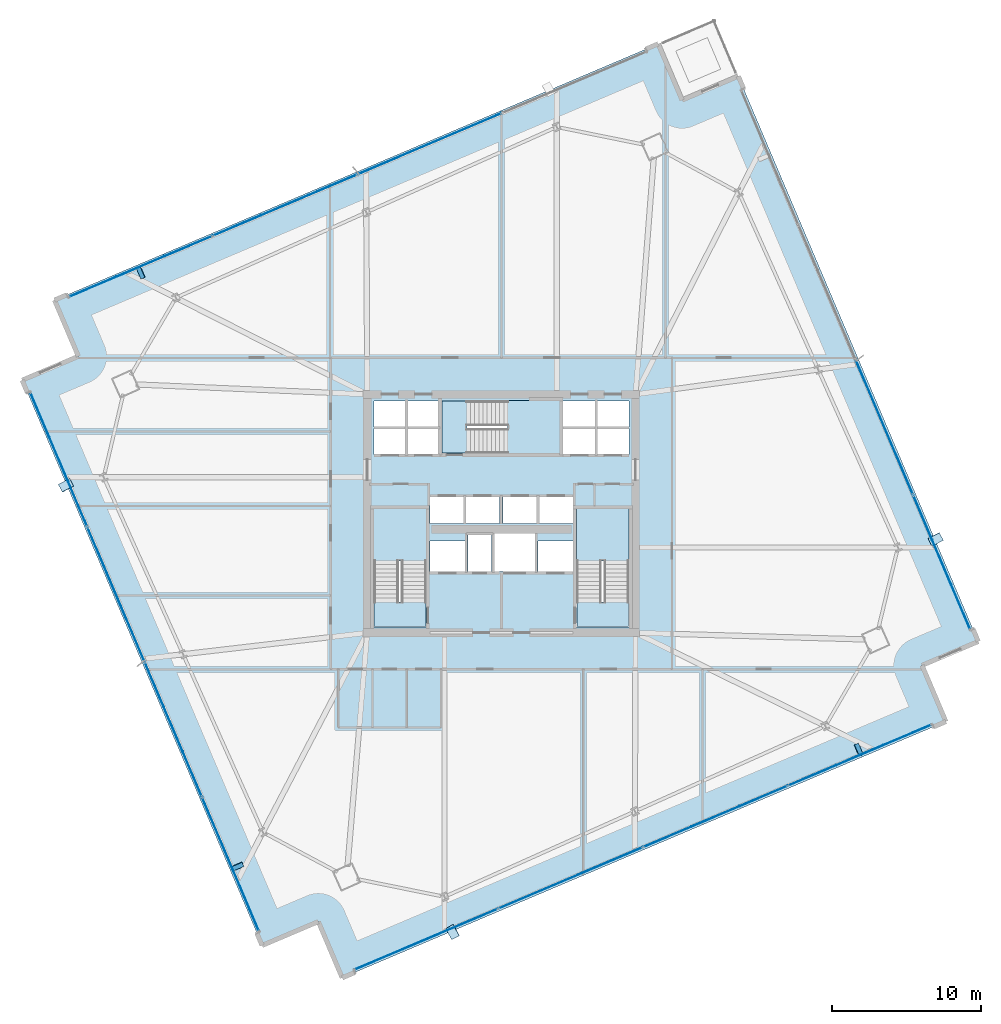
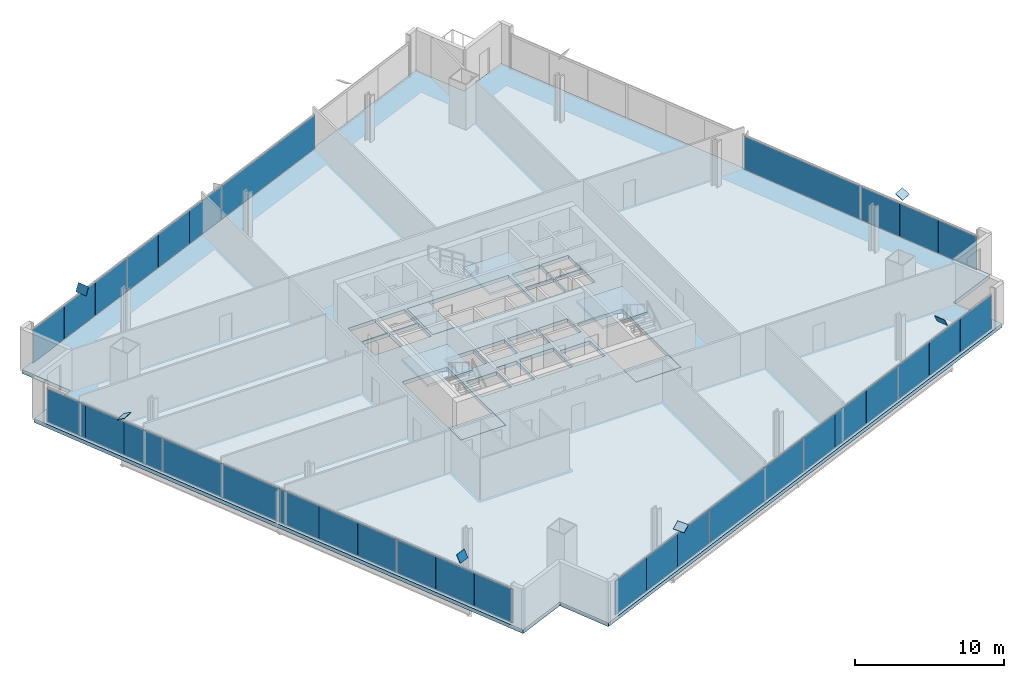
# One storey, part 25 of 34: 37 plates, 7 slabs, 7 elements without a shape of their own.
"""IFC4 building model written with IfcOpenShell, lengths in metres."""

from ifc_helpers import new_model, si_unit, direction, frame, origin, origin_2d, place, context, subcontext, project, spatial, polyline, rectangle, outline, extrude, source, transform, mapped, material, layer, layer_set, type_object, element, aggregate, save


model = new_model("IFC4")

# Units and contexts
model_context = context("Model", 3, precision=1e-05, world=origin(), true_north=direction((0.0, 1.0)))
body_context = subcontext(model_context, "Body", "Model", "MODEL_VIEW")
ifc_project = project(units=[si_unit("LENGTHUNIT", "METRE"), si_unit("AREAUNIT", "SQUARE_METRE"), si_unit("VOLUMEUNIT", "CUBIC_METRE"), si_unit("PLANEANGLEUNIT", "RADIAN"), si_unit("MASSUNIT", "GRAM", prefix="KILO")], contexts=[model_context])

# Site, building, storey
site_placement = place(None, origin())
site = spatial("IfcSite", under=ifc_project, at=site_placement, CompositionType="ELEMENT")
building_placement = place(site_placement, origin())
building = spatial("IfcBuilding", under=site, at=building_placement, Name="Haldenkirk Collegiate Tower", CompositionType="ELEMENT")
storey_placement = place(building_placement, frame((0.0, 0.0, 105.449951171875)))
storey = spatial("IfcBuildingStorey", under=building, at=storey_placement, Name="L25", CompositionType="ELEMENT", Elevation=105.449951171875)

# Slab
ifc_material_1 = material(Name="Concrete f'c 40 MPa", Category="concrete")
ifc_layer_1 = layer(ifc_material_1, 0.300048828125)
ifc_layer_set_1 = layer_set([ifc_layer_1], Name="Concrete f'c 40 MPa")
slab_type_1 = type_object("IfcSlabType", Name="SLB-FLR-300", PredefinedType="FLOOR", material=ifc_layer_set_1)
slab_1_placement = place(storey_placement, frame((0.0, 0.0, -0.300048828125)))
element("IfcSlab", 1, at=slab_1_placement, inside=storey, type_object=slab_type_1, Name="L25 composite structural floor slab", PredefinedType="FLOOR", context=body_context, shape_type="SweptSolid", body=[
    extrude(outline(polyline([(25.32177734375, -5.1484375), (65.823974609375, 12.043701171875), (64.221923828125, 15.81787109375), (67.99609375, 17.419921875), (51.89794921875, 55.344482421875), (48.123779296875, 53.74267578125), (46.52197265625, 57.5166015625), (6.019775390625, 40.324462890625), (7.62158203125, 36.55029296875), (3.84765625, 34.948486328125), (19.94580078125, -2.976318359375), (23.7197265625, -1.37451171875), (25.32177734375, -5.1484375)]), holes=[polyline([(27.449951171875, 18.39990234375), (30.949951171875, 18.39990234375), (30.949951171875, 26.300048828125), (27.449951171875, 26.300048828125), (27.449951171875, 18.39990234375)]), polyline([(41.050048828125, 18.39990234375), (44.550048828125, 18.39990234375), (44.550048828125, 26.300048828125), (41.050048828125, 26.300048828125), (41.050048828125, 18.39990234375)]), polyline([(32.0, 30.050048828125), (39.89990234375, 30.050048828125), (39.89990234375, 33.550048828125), (32.0, 33.550048828125), (32.0, 30.050048828125)]), polyline([(33.75, 22.10009765625), (35.35009765625, 22.10009765625), (35.35009765625, 24.550048828125), (33.75, 24.550048828125), (33.75, 22.10009765625)]), polyline([(27.449951171875, 29.949951171875), (29.580078125, 29.949951171875), (29.580078125, 31.699951171875), (27.449951171875, 31.699951171875), (27.449951171875, 29.949951171875)]), polyline([(29.679931640625, 29.949951171875), (31.85009765625, 29.949951171875), (31.85009765625, 31.699951171875), (29.679931640625, 31.699951171875), (29.679931640625, 29.949951171875)]), polyline([(27.449951171875, 31.800048828125), (29.580078125, 31.800048828125), (29.580078125, 33.550048828125), (27.449951171875, 33.550048828125), (27.449951171875, 31.800048828125)]), polyline([(29.679931640625, 31.800048828125), (31.85009765625, 31.800048828125), (31.85009765625, 33.550048828125), (29.679931640625, 33.550048828125), (29.679931640625, 31.800048828125)]), polyline([(40.14990234375, 29.949951171875), (42.320068359375, 29.949951171875), (42.320068359375, 31.699951171875), (40.14990234375, 31.699951171875), (40.14990234375, 29.949951171875)]), polyline([(42.419921875, 29.949951171875), (44.550048828125, 29.949951171875), (44.550048828125, 31.699951171875), (42.419921875, 31.699951171875), (42.419921875, 29.949951171875)]), polyline([(40.14990234375, 31.800048828125), (42.320068359375, 31.800048828125), (42.320068359375, 33.550048828125), (40.14990234375, 33.550048828125), (40.14990234375, 31.800048828125)]), polyline([(42.419921875, 31.800048828125), (44.550048828125, 31.800048828125), (44.550048828125, 33.550048828125), (42.419921875, 33.550048828125), (42.419921875, 31.800048828125)]), polyline([(31.199951171875, 25.35009765625), (33.47998046875, 25.35009765625), (33.47998046875, 27.14990234375), (31.199951171875, 27.14990234375), (31.199951171875, 25.35009765625)]), polyline([(33.60009765625, 25.35009765625), (35.8798828125, 25.35009765625), (35.8798828125, 27.14990234375), (33.60009765625, 27.14990234375), (33.60009765625, 25.35009765625)]), polyline([(36.1201171875, 25.35009765625), (38.39990234375, 25.35009765625), (38.39990234375, 27.14990234375), (36.1201171875, 27.14990234375), (36.1201171875, 25.35009765625)]), polyline([(38.52001953125, 25.35009765625), (40.800048828125, 25.35009765625), (40.800048828125, 27.14990234375), (38.52001953125, 27.14990234375), (38.52001953125, 25.35009765625)]), polyline([(31.199951171875, 22.10009765625), (33.550048828125, 22.10009765625), (33.550048828125, 24.14990234375), (31.199951171875, 24.14990234375), (31.199951171875, 22.10009765625)]), polyline([(38.449951171875, 22.10009765625), (40.800048828125, 22.10009765625), (40.800048828125, 24.14990234375), (38.449951171875, 24.14990234375), (38.449951171875, 22.10009765625)]), polyline([(35.550048828125, 22.10009765625), (38.25, 22.10009765625), (38.25, 24.64990234375), (35.550048828125, 24.64990234375), (35.550048828125, 22.10009765625)])]), origin(), (0.0, 0.0, 1.0), 0.300048828125),
])

# Stair, slab
stair_type = type_object("IfcStairType", Name="STR-DOGLEG-1650", PredefinedType="HALF_TURN_STAIR", material=ifc_material_1)
stair_1_placement = place(storey_placement, origin())
stair_1 = element("IfcStair", 2, at=stair_1_placement, inside=storey, type_object=stair_type, Name="L25 Core Exit Stair ST-1", PredefinedType="HALF_TURN_STAIR")
ifc_layer_2 = layer(ifc_material_1, 0.199951171875)
ifc_layer_set_2 = layer_set([ifc_layer_2], Name="Concrete f'c 40 MPa")
slab_type_2 = type_object("IfcSlabType", Name="SLB-LANDING-200", PredefinedType="LANDING", material=ifc_layer_set_2)
slab_2_placement = place(storey_placement, frame((0.0, 0.0, 1.675048828125)))
slab_2 = element("IfcSlab", 3, at=slab_2_placement, type_object=slab_type_2, Name="ST-1 landing 1", PredefinedType="LANDING", context=body_context, shape_type="SweptSolid", body=[
    extrude(outline(polyline([(30.97509765625, 22.824951171875), (27.425048828125, 22.824951171875), (27.425048828125, 26.324951171875), (30.97509765625, 26.324951171875), (30.97509765625, 22.824951171875)])), origin(), (0.0, 0.0, 1.0), 0.199951171875),
])
aggregate(stair_1, [slab_2])

stair_2_placement = place(storey_placement, origin())
stair_2 = element("IfcStair", 4, at=stair_2_placement, inside=storey, type_object=stair_type, Name="L25 Core Exit Stair ST-2", PredefinedType="HALF_TURN_STAIR")
slab_3_placement = place(storey_placement, frame((0.0, 0.0, 1.675048828125)))
slab_3 = element("IfcSlab", 5, at=slab_3_placement, type_object=slab_type_2, Name="ST-2 landing 1", PredefinedType="LANDING", context=body_context, shape_type="SweptSolid", body=[
    extrude(outline(polyline([(44.574951171875, 22.824951171875), (41.02490234375, 22.824951171875), (41.02490234375, 26.324951171875), (44.574951171875, 26.324951171875), (44.574951171875, 22.824951171875)])), origin(), (0.0, 0.0, 1.0), 0.199951171875),
])
aggregate(stair_2, [slab_3])

stair_3_placement = place(storey_placement, origin())
stair_3 = element("IfcStair", 6, at=stair_3_placement, inside=storey, type_object=stair_type, Name="L25 Core Exit Stair ST-3", PredefinedType="HALF_TURN_STAIR")
slab_4_placement = place(storey_placement, frame((0.0, 0.0, 1.675048828125)))
slab_4 = element("IfcSlab", 7, at=slab_4_placement, type_object=slab_type_2, Name="ST-3 landing 1", PredefinedType="LANDING", context=body_context, shape_type="SweptSolid", body=[
    extrude(outline(polyline([(36.425048828125, 30.02490234375), (36.425048828125, 33.574951171875), (39.925048828125, 33.574951171875), (39.925048828125, 30.02490234375), (36.425048828125, 30.02490234375)])), origin(), (0.0, 0.0, 1.0), 0.199951171875),
])
aggregate(stair_3, [slab_4])

# Slabs
ifc_layer_3 = layer(ifc_material_1, 0.25)
ifc_layer_set_3 = layer_set([ifc_layer_3], Name="Concrete f'c 40 MPa")
slab_type_3 = type_object("IfcSlabType", Name="SLB-STAIRLAND-250", PredefinedType="LANDING", material=ifc_layer_set_3)
slab_5_placement = place(storey_placement, frame((0.0, 0.0, -0.25)))
element("IfcSlab", 8, at=slab_5_placement, inside=storey, type_object=slab_type_3, Name="L25 stair ST1 structural floor landing slab", PredefinedType="LANDING", context=body_context, shape_type="SweptSolid", body=[
    extrude(outline(polyline([(27.4599609375, 18.409912109375), (30.93994140625, 18.409912109375), (30.93994140625, 20.080078125), (27.4599609375, 20.080078125), (27.4599609375, 18.409912109375)])), origin(), (0.0, 0.0, 1.0), 0.25),
])
slab_6_placement = place(storey_placement, frame((0.0, 0.0, -0.25)))
element("IfcSlab", 9, at=slab_6_placement, inside=storey, type_object=slab_type_3, Name="L25 stair ST2 structural floor landing slab", PredefinedType="LANDING", context=body_context, shape_type="SweptSolid", body=[
    extrude(outline(polyline([(41.06005859375, 18.409912109375), (44.5400390625, 18.409912109375), (44.5400390625, 20.080078125), (41.06005859375, 20.080078125), (41.06005859375, 18.409912109375)])), origin(), (0.0, 0.0, 1.0), 0.25),
])
slab_7_placement = place(storey_placement, frame((0.0, 0.0, -0.25)))
element("IfcSlab", 10, at=slab_7_placement, inside=storey, type_object=slab_type_3, Name="L25 stair ST3 structural floor landing slab", PredefinedType="LANDING", context=body_context, shape_type="SweptSolid", body=[
    extrude(outline(polyline([(32.010009765625, 30.06005859375), (33.679931640625, 30.06005859375), (33.679931640625, 33.5400390625), (32.010009765625, 33.5400390625), (32.010009765625, 30.06005859375)])), origin(), (0.0, 0.0, 1.0), 0.25),
])

# Plates
ifc_material_2 = material(Name="Steel ASTM A572 Grade 50", Category="steel")
ifc_layer_4 = layer(ifc_material_2, 0.034912109375)
ifc_layer_set_4 = layer_set([ifc_layer_4], Name="Steel ASTM A572 Grade 50")
plate_type_1 = type_object("IfcPlateType", Name="PLT-CAP-EXT-760X600", PredefinedType="USERDEFINED", material=ifc_layer_set_4)
shared_shape_1 = source(origin(), body_context, "Body", "SweptSolid", [
    extrude(rectangle(XDim=0.860107421875, YDim=0.659912109375, at=origin_2d()), origin(), (0.0, 0.0, 1.0), 0.034912109375),
])
for number, where, z_axis, x_axis, name in (
    (11, (32.730224609375, -2.07470703125, 3.4375), (-0.447460758456, -0.236834872154, 0.862373534481), (0.467800980933, -0.883833831802, -1.05321e-07), "Perimeter Mega Brace Z2 L23-L25 SL end cap plate 2"),
    (12, (59.965087890625, 10.136474609375, 3.438720703125), (0.828155922011, 0.353041966753, 0.435337959003), (-0.392152408477, 0.919900260097, -1.32381e-07), "Perimeter Mega Brace Z2 L23-L25 SR end cap plate 2"),
    (13, (65.13525390625, 24.276123046875, 3.4375), (0.227382985822, -0.43399797294, 0.871746945646), (0.885789368321, 0.464087486331, -4.62341e-07), "Perimeter Mega Brace Z2 L23-L25 EL end cap plate 2"),
    (14, (11.800537109375, 42.197021484375, 3.438720703125), (-0.829037011715, -0.353411004994, 0.433357006124), (0.392146401204, -0.919902820967, 2.31112e-07), "Perimeter Mega Brace Z2 L23-L25 NR end cap plate 2"),
    (15, (6.791259765625, 27.887939453125, 3.4375), (-0.227062908924, 0.430449827344, 0.873587649598), (-0.884485511189, -0.466567659077, 1.31896e-07), "Perimeter Mega Brace Z2 L23-L25 WL end cap plate 2"),
    (16, (18.255859375, 2.318115234375, 3.438720703125), (0.348519083296, -0.817225195316, 0.4589961097), (0.919844648318, 0.392282835415, 6.94e-09), "Perimeter Mega Brace Z2 L23-L25 WR end cap plate 2"),
):
    element("IfcPlate", number, at=place(storey_placement, frame(where, z_axis=z_axis, x_axis=x_axis)), inside=storey, type_object=plate_type_1, Name=name, ObjectType="END CAP PLATE", PredefinedType="USERDEFINED", context=body_context, shape_type="MappedRepresentation", body=[
        mapped(shared_shape_1, transform((0.0, 0.0, 0.0), x_axis=(1.0, 0.0, 0.0), y_axis=(0.0, 1.0, 0.0), z_axis=(0.0, 0.0, 1.0), scale=1.0)),
    ])

# Curtain wall, plates
ifc_material_3 = material(Name="Anodised architectural bronze aluminium", Category="aluminium")
curtain_wall_type_1 = type_object("IfcCurtainWallType", Name="CW-SYS2-CONCAVE", PredefinedType="USERDEFINED", material=ifc_material_3)
curtain_wall_1_placement = place(storey_placement, origin())
curtain_wall_1 = element("IfcCurtainWall", 17, at=curtain_wall_1_placement, inside=storey, type_object=curtain_wall_type_1, Name="L25 South concave recessed bronze-anodised curtain wall", ObjectType="UNITISED CURTAIN WALL", PredefinedType="USERDEFINED")
ifc_material_4 = material(Name="Bronze-anodised insulated aluminium spandrel panel", Category="aluminium")
ifc_layer_5 = layer(ifc_material_4, 0.0419921875)
ifc_layer_set_5 = layer_set([ifc_layer_5], Name="Bronze-anodised insulated aluminium spandrel panel")
plate_type_2 = type_object("IfcPlateType", Name="CW-SPD-02", PredefinedType="CURTAIN_PANEL", material=ifc_layer_set_5)
shared_shape_2 = source(origin(), body_context, "Body", "SweptSolid", [
    extrude(rectangle(XDim=3.479248046875, YDim=0.0419921875, at=origin_2d()), origin(), (0.0, 0.0, 1.0), 2.7509765625),
])
plate_1_placement = place(storey_placement, frame((53.578125, 7.041015625, 0.074951171875), z_axis=(0.0, 0.0, 1.0), x_axis=(-0.92050493127, -0.390730945162, 0.0)))
plate_1 = element("IfcPlate", 18, at=plate_1_placement, type_object=plate_type_2, Name="CW-02 spandrel panel 2.1a", PredefinedType="CURTAIN_PANEL", context=body_context, shape_type="MappedRepresentation", body=[
    mapped(shared_shape_2, transform((0.0, 0.0, 0.0), x_axis=(1.0, 0.0, 0.0), y_axis=(0.0, 1.0, 0.0), z_axis=(0.0, 0.0, 1.0), scale=1.0)),
])
ifc_material_5 = material(Name="Low-E argon triple insulating glass", Category="glass")
ifc_layer_6 = layer(ifc_material_5, 0.0419921875)
ifc_layer_set_6 = layer_set([ifc_layer_6], Name="Low-E argon triple insulating glass")
plate_type_3 = type_object("IfcPlateType", Name="CW-PNL-02", PredefinedType="CURTAIN_PANEL", material=ifc_layer_set_6)
plate_2_placement = place(storey_placement, frame((47.138427734375, 4.3076171875, 0.074951171875), z_axis=(0.0, 0.0, 1.0), x_axis=(-0.92050493127, -0.390730945162, 0.0)))
plate_2 = element("IfcPlate", 19, at=plate_2_placement, type_object=plate_type_3, Name="CW-02 panel 2.1c", PredefinedType="CURTAIN_PANEL", context=body_context, shape_type="MappedRepresentation", body=[
    mapped(shared_shape_2, transform((0.0, 0.0, 0.0), x_axis=(1.0, 0.0, 0.0), y_axis=(0.0, 1.0, 0.0), z_axis=(0.0, 0.0, 1.0), scale=1.0)),
])
shared_shape_3 = source(origin(), body_context, "Body", "SweptSolid", [
    extrude(rectangle(XDim=3.466796875, YDim=0.0419921875, at=origin_2d()), origin(), (0.0, 0.0, 1.0), 2.7509765625),
])
plate_3_placement = place(storey_placement, frame((63.260498046875, 11.151123046875, 0.074951171875), z_axis=(0.0, 0.0, 1.0), x_axis=(-0.92050493127, -0.390730945162, 0.0)))
plate_3 = element("IfcPlate", 20, at=plate_3_placement, type_object=plate_type_3, Name="CW-02 panel 1.1a", PredefinedType="CURTAIN_PANEL", context=body_context, shape_type="MappedRepresentation", body=[
    mapped(shared_shape_3, transform((0.0, 0.0, 0.0), x_axis=(1.0, 0.0, 0.0), y_axis=(0.0, 1.0, 0.0), z_axis=(0.0, 0.0, 1.0), scale=1.0)),
])
plate_4_placement = place(storey_placement, frame((56.843994140625, 8.427490234375, 0.074951171875), z_axis=(0.0, 0.0, 1.0), x_axis=(-0.92050493127, -0.390730945162, 0.0)))
plate_4 = element("IfcPlate", 21, at=plate_4_placement, type_object=plate_type_2, Name="CW-02 spandrel panel 1.1c", PredefinedType="CURTAIN_PANEL", context=body_context, shape_type="MappedRepresentation", body=[
    mapped(shared_shape_3, transform((0.0, 0.0, 0.0), x_axis=(1.0, 0.0, 0.0), y_axis=(0.0, 1.0, 0.0), z_axis=(0.0, 0.0, 1.0), scale=1.0)),
])
plate_5_placement = place(storey_placement, frame((50.358154296875, 5.67431640625, 0.074951171875), z_axis=(0.0, 0.0, 1.0), x_axis=(-0.92050493127, -0.390730945162, 0.0)))
plate_5 = element("IfcPlate", 22, at=plate_5_placement, type_object=plate_type_3, Name="CW-02 panel 2.1b", PredefinedType="CURTAIN_PANEL", context=body_context, shape_type="MappedRepresentation", body=[
    mapped(shared_shape_3, transform((0.0, 0.0, 0.0), x_axis=(1.0, 0.0, 0.0), y_axis=(0.0, 1.0, 0.0), z_axis=(0.0, 0.0, 1.0), scale=1.0)),
])
plate_6_placement = place(storey_placement, frame((34.1611328125, -1.20068359375, 0.074951171875), z_axis=(0.0, 0.0, 1.0), x_axis=(-0.92050493127, -0.390730945162, 0.0)))
plate_6 = element("IfcPlate", 23, at=plate_6_placement, type_object=plate_type_2, Name="CW-02 spandrel panel 4.1a", PredefinedType="CURTAIN_PANEL", context=body_context, shape_type="MappedRepresentation", body=[
    mapped(shared_shape_3, transform((0.0, 0.0, 0.0), x_axis=(1.0, 0.0, 0.0), y_axis=(0.0, 1.0, 0.0), z_axis=(0.0, 0.0, 1.0), scale=1.0)),
])
plate_7_placement = place(storey_placement, frame((27.74462890625, -3.924560546875, 0.074951171875), z_axis=(0.0, 0.0, 1.0), x_axis=(-0.92050493127, -0.390730945162, 0.0)))
plate_7 = element("IfcPlate", 24, at=plate_7_placement, type_object=plate_type_3, Name="CW-02 panel 4.1c", PredefinedType="CURTAIN_PANEL", context=body_context, shape_type="MappedRepresentation", body=[
    mapped(shared_shape_3, transform((0.0, 0.0, 0.0), x_axis=(1.0, 0.0, 0.0), y_axis=(0.0, 1.0, 0.0), z_axis=(0.0, 0.0, 1.0), scale=1.0)),
])

# Curtain wall, plate
curtain_wall_type_2 = type_object("IfcCurtainWallType", Name="CW-SYS1-CONVEX-LOW", PredefinedType="USERDEFINED", material=ifc_material_3)
curtain_wall_2_placement = place(storey_placement, origin())
curtain_wall_2 = element("IfcCurtainWall", 25, at=curtain_wall_2_placement, inside=storey, type_object=curtain_wall_type_2, Name="L25 Lower tower convex bronze-framed unitised curtain wall", ObjectType="UNITISED CURTAIN WALL", PredefinedType="USERDEFINED")
ifc_layer_7 = layer(ifc_material_5, 0.0439453125)
ifc_layer_set_7 = layer_set([ifc_layer_7], Name="Low-E argon triple insulating glass")
plate_type_4 = type_object("IfcPlateType", Name="CW-PNL-1A", PredefinedType="CURTAIN_PANEL", material=ifc_layer_set_7)
shared_shape_4 = source(origin(), body_context, "Body", "SweptSolid", [
    extrude(rectangle(XDim=9.77001953125, YDim=0.0439453125, at=origin_2d()), origin(), (0.0, 0.0, 1.0), 2.740966796875),
])
plate_8_placement = place(storey_placement, frame((61.70556640625, 31.7783203125, 0.080078125), z_axis=(0.0, 0.0, 1.0), x_axis=(0.390729671687, -0.920505471827, 0.0)))
plate_8 = element("IfcPlate", 26, at=plate_8_placement, type_object=plate_type_4, Name="CW-1A panel 3.1", PredefinedType="CURTAIN_PANEL", context=body_context, shape_type="MappedRepresentation", body=[
    mapped(shared_shape_4, transform((0.0, 0.0, 0.0), x_axis=(1.0, 0.0, 0.0), y_axis=(0.0, 1.0, 0.0), z_axis=(0.0, 0.0, 1.0), scale=1.0)),
])

# Curtain wall, plates
curtain_wall_3_placement = place(storey_placement, origin())
curtain_wall_3 = element("IfcCurtainWall", 27, at=curtain_wall_3_placement, inside=storey, type_object=curtain_wall_type_2, Name="L25 Lower tower convex bronze-framed unitised curtain wall", ObjectType="UNITISED CURTAIN WALL", PredefinedType="USERDEFINED")
plate_9_placement = place(storey_placement, frame((10.137939453125, 20.58984375, 0.080078125), z_axis=(0.0, 0.0, 1.0), x_axis=(-0.390729671687, 0.920505471827, 0.0)))
plate_9 = element("IfcPlate", 28, at=plate_9_placement, type_object=plate_type_4, Name="CW-1A panel 3.1", PredefinedType="CURTAIN_PANEL", context=body_context, shape_type="MappedRepresentation", body=[
    mapped(shared_shape_4, transform((0.0, 0.0, 0.0), x_axis=(1.0, 0.0, 0.0), y_axis=(0.0, 1.0, 0.0), z_axis=(0.0, 0.0, 1.0), scale=1.0)),
])
ifc_layer_8 = layer(ifc_material_4, 0.0439453125)
ifc_layer_set_8 = layer_set([ifc_layer_8], Name="Bronze-anodised insulated aluminium spandrel panel")
plate_type_5 = type_object("IfcPlateType", Name="CW-SPD-1A", PredefinedType="CURTAIN_PANEL", material=ifc_layer_set_8)
shared_shape_5 = source(origin(), body_context, "Body", "SweptSolid", [
    extrude(rectangle(XDim=3.244140625, YDim=0.0439453125, at=origin_2d()), origin(), (0.0, 0.0, 1.0), 2.740966796875),
])
plate_10_placement = place(storey_placement, frame((15.26171875, 8.519287109375, 0.080078125), z_axis=(0.0, 0.0, 1.0), x_axis=(-0.390729671687, 0.920505471827, 0.0)))
plate_10 = element("IfcPlate", 29, at=plate_10_placement, type_object=plate_type_5, Name="CW-1A spandrel panel 2.1a", PredefinedType="CURTAIN_PANEL", context=body_context, shape_type="MappedRepresentation", body=[
    mapped(shared_shape_5, transform((0.0, 0.0, 0.0), x_axis=(1.0, 0.0, 0.0), y_axis=(0.0, 1.0, 0.0), z_axis=(0.0, 0.0, 1.0), scale=1.0)),
])
plate_11_placement = place(storey_placement, frame((12.7119140625, 14.5263671875, 0.080078125), z_axis=(0.0, 0.0, 1.0), x_axis=(-0.390729671687, 0.920505471827, 0.0)))
plate_11 = element("IfcPlate", 30, at=plate_11_placement, type_object=plate_type_4, Name="CW-1A panel 2.1c", PredefinedType="CURTAIN_PANEL", context=body_context, shape_type="MappedRepresentation", body=[
    mapped(shared_shape_5, transform((0.0, 0.0, 0.0), x_axis=(1.0, 0.0, 0.0), y_axis=(0.0, 1.0, 0.0), z_axis=(0.0, 0.0, 1.0), scale=1.0)),
])
shared_shape_6 = source(origin(), body_context, "Body", "SweptSolid", [
    extrude(rectangle(XDim=3.231689453125, YDim=0.0439453125, at=origin_2d()), origin(), (0.0, 0.0, 1.0), 2.740966796875),
])
plate_12_placement = place(storey_placement, frame((13.98681640625, 11.522705078125, 0.080078125), z_axis=(0.0, 0.0, 1.0), x_axis=(-0.390729671687, 0.920505471827, 0.0)))
plate_12 = element("IfcPlate", 31, at=plate_12_placement, type_object=plate_type_4, Name="CW-1A panel 2.1b", PredefinedType="CURTAIN_PANEL", context=body_context, shape_type="MappedRepresentation", body=[
    mapped(shared_shape_6, transform((0.0, 0.0, 0.0), x_axis=(1.0, 0.0, 0.0), y_axis=(0.0, 1.0, 0.0), z_axis=(0.0, 0.0, 1.0), scale=1.0)),
])

curtain_wall_4_placement = place(storey_placement, origin())
curtain_wall_4 = element("IfcCurtainWall", 32, at=curtain_wall_4_placement, inside=storey, type_object=curtain_wall_type_2, Name="L25 Lower tower convex bronze-framed unitised curtain wall", ObjectType="UNITISED CURTAIN WALL", PredefinedType="USERDEFINED")
shared_shape_7 = source(origin(), body_context, "Body", "SweptSolid", [
    extrude(rectangle(XDim=10.469970703125, YDim=0.0439453125, at=origin_2d()), origin(), (0.0, 0.0, 1.0), 2.740966796875),
])
plate_13_placement = place(storey_placement, frame((31.19677734375, 50.81591796875, 0.080078125), z_axis=(0.0, 0.0, 1.0), x_axis=(0.92050493127, 0.390730945162, 0.0)))
plate_13 = element("IfcPlate", 33, at=plate_13_placement, type_object=plate_type_4, Name="CW-1A panel 3.1", PredefinedType="CURTAIN_PANEL", context=body_context, shape_type="MappedRepresentation", body=[
    mapped(shared_shape_7, transform((0.0, 0.0, 0.0), x_axis=(1.0, 0.0, 0.0), y_axis=(0.0, 1.0, 0.0), z_axis=(0.0, 0.0, 1.0), scale=1.0)),
])
shared_shape_8 = source(origin(), body_context, "Body", "SweptSolid", [
    extrude(rectangle(XDim=3.4775390625, YDim=0.0439453125, at=origin_2d()), origin(), (0.0, 0.0, 1.0), 2.740966796875),
])
plate_14_placement = place(storey_placement, frame((18.26708984375, 45.32763671875, 0.080078125), z_axis=(0.0, 0.0, 1.0), x_axis=(0.92050493127, 0.390730945162, 0.0)))
plate_14 = element("IfcPlate", 34, at=plate_14_placement, type_object=plate_type_5, Name="CW-1A spandrel panel 2.1a", PredefinedType="CURTAIN_PANEL", context=body_context, shape_type="MappedRepresentation", body=[
    mapped(shared_shape_8, transform((0.0, 0.0, 0.0), x_axis=(1.0, 0.0, 0.0), y_axis=(0.0, 1.0, 0.0), z_axis=(0.0, 0.0, 1.0), scale=1.0)),
])
plate_15_placement = place(storey_placement, frame((24.703857421875, 48.059814453125, 0.080078125), z_axis=(0.0, 0.0, 1.0), x_axis=(0.92050493127, 0.390730945162, 0.0)))
plate_15 = element("IfcPlate", 35, at=plate_15_placement, type_object=plate_type_4, Name="CW-1A panel 2.1c", PredefinedType="CURTAIN_PANEL", context=body_context, shape_type="MappedRepresentation", body=[
    mapped(shared_shape_8, transform((0.0, 0.0, 0.0), x_axis=(1.0, 0.0, 0.0), y_axis=(0.0, 1.0, 0.0), z_axis=(0.0, 0.0, 1.0), scale=1.0)),
])
shared_shape_9 = source(origin(), body_context, "Body", "SweptSolid", [
    extrude(rectangle(XDim=3.465087890625, YDim=0.0439453125, at=origin_2d()), origin(), (0.0, 0.0, 1.0), 2.740966796875),
])
plate_16_placement = place(storey_placement, frame((21.4853515625, 46.69384765625, 0.080078125), z_axis=(0.0, 0.0, 1.0), x_axis=(0.92050493127, 0.390730945162, 0.0)))
plate_16 = element("IfcPlate", 36, at=plate_16_placement, type_object=plate_type_4, Name="CW-1A panel 2.1b", PredefinedType="CURTAIN_PANEL", context=body_context, shape_type="MappedRepresentation", body=[
    mapped(shared_shape_9, transform((0.0, 0.0, 0.0), x_axis=(1.0, 0.0, 0.0), y_axis=(0.0, 1.0, 0.0), z_axis=(0.0, 0.0, 1.0), scale=1.0)),
])

# Plate
shared_shape_10 = source(origin(), body_context, "Body", "SweptSolid", [
    extrude(rectangle(XDim=3.4541015625, YDim=0.0419921875, at=origin_2d()), origin(), (0.0, 0.0, 1.0), 2.7509765625),
])
plate_17_placement = place(storey_placement, frame((60.05224609375, 9.789306640625, 0.074951171875), z_axis=(0.0, 0.0, 1.0), x_axis=(-0.92050493127, -0.390730945162, 0.0)))
plate_17 = element("IfcPlate", 37, at=plate_17_placement, type_object=plate_type_2, Name="CW-02 spandrel panel 1.1b", PredefinedType="CURTAIN_PANEL", context=body_context, shape_type="MappedRepresentation", body=[
    mapped(shared_shape_10, transform((0.0, 0.0, 0.0), x_axis=(1.0, 0.0, 0.0), y_axis=(0.0, 1.0, 0.0), z_axis=(0.0, 0.0, 1.0), scale=1.0)),
])

plate_18_placement = place(storey_placement, frame((30.952880859375, -2.562744140625, 0.074951171875), z_axis=(0.0, 0.0, 1.0), x_axis=(-0.92050493127, -0.390730945162, 0.0)))
plate_18 = element("IfcPlate", 38, at=plate_18_placement, type_object=plate_type_2, Name="CW-02 spandrel panel 4.1b", PredefinedType="CURTAIN_PANEL", context=body_context, shape_type="MappedRepresentation", body=[
    mapped(shared_shape_10, transform((0.0, 0.0, 0.0), x_axis=(1.0, 0.0, 0.0), y_axis=(0.0, 1.0, 0.0), z_axis=(0.0, 0.0, 1.0), scale=1.0)),
])

shared_shape_11 = source(origin(), body_context, "Body", "SweptSolid", [
    extrude(rectangle(XDim=3.230712890625, YDim=0.0439453125, at=origin_2d()), origin(), (0.0, 0.0, 1.0), 2.740966796875),
])
plate_19_placement = place(storey_placement, frame((64.27685546875, 25.72119140625, 0.080078125), z_axis=(0.0, 0.0, 1.0), x_axis=(0.390729671687, -0.920505471827, 0.0)))
plate_19 = element("IfcPlate", 39, at=plate_19_placement, type_object=plate_type_5, Name="CW-1A spandrel panel 4.1a", PredefinedType="CURTAIN_PANEL", context=body_context, shape_type="MappedRepresentation", body=[
    mapped(shared_shape_11, transform((0.0, 0.0, 0.0), x_axis=(1.0, 0.0, 0.0), y_axis=(0.0, 1.0, 0.0), z_axis=(0.0, 0.0, 1.0), scale=1.0)),
])

plate_20_placement = place(storey_placement, frame((66.81640625, 19.738525390625, 0.080078125), z_axis=(0.0, 0.0, 1.0), x_axis=(0.390729671687, -0.920505471827, 0.0)))
plate_20 = element("IfcPlate", 40, at=plate_20_placement, type_object=plate_type_4, Name="CW-1A panel 4.1c", PredefinedType="CURTAIN_PANEL", context=body_context, shape_type="MappedRepresentation", body=[
    mapped(shared_shape_11, transform((0.0, 0.0, 0.0), x_axis=(1.0, 0.0, 0.0), y_axis=(0.0, 1.0, 0.0), z_axis=(0.0, 0.0, 1.0), scale=1.0)),
])

plate_21_placement = place(storey_placement, frame((19.097412109375, -0.51708984375, 0.080078125), z_axis=(0.0, 0.0, 1.0), x_axis=(-0.390729671687, 0.920505471827, 0.0)))
plate_21 = element("IfcPlate", 41, at=plate_21_placement, type_object=plate_type_4, Name="CW-1A panel 1.1a", PredefinedType="CURTAIN_PANEL", context=body_context, shape_type="MappedRepresentation", body=[
    mapped(shared_shape_11, transform((0.0, 0.0, 0.0), x_axis=(1.0, 0.0, 0.0), y_axis=(0.0, 1.0, 0.0), z_axis=(0.0, 0.0, 1.0), scale=1.0)),
])

plate_22_placement = place(storey_placement, frame((16.557861328125, 5.465576171875, 0.080078125), z_axis=(0.0, 0.0, 1.0), x_axis=(-0.390729671687, 0.920505471827, 0.0)))
plate_22 = element("IfcPlate", 42, at=plate_22_placement, type_object=plate_type_5, Name="CW-1A spandrel panel 1.1c", PredefinedType="CURTAIN_PANEL", context=body_context, shape_type="MappedRepresentation", body=[
    mapped(shared_shape_11, transform((0.0, 0.0, 0.0), x_axis=(1.0, 0.0, 0.0), y_axis=(0.0, 1.0, 0.0), z_axis=(0.0, 0.0, 1.0), scale=1.0)),
])

plate_23_placement = place(storey_placement, frame((7.56689453125, 26.647216796875, 0.080078125), z_axis=(0.0, 0.0, 1.0), x_axis=(-0.390729671687, 0.920505471827, 0.0)))
plate_23 = element("IfcPlate", 43, at=plate_23_placement, type_object=plate_type_5, Name="CW-1A spandrel panel 4.1a", PredefinedType="CURTAIN_PANEL", context=body_context, shape_type="MappedRepresentation", body=[
    mapped(shared_shape_11, transform((0.0, 0.0, 0.0), x_axis=(1.0, 0.0, 0.0), y_axis=(0.0, 1.0, 0.0), z_axis=(0.0, 0.0, 1.0), scale=1.0)),
])

plate_24_placement = place(storey_placement, frame((5.02734375, 32.629638671875, 0.080078125), z_axis=(0.0, 0.0, 1.0), x_axis=(-0.390729671687, 0.920505471827, 0.0)))
plate_24 = element("IfcPlate", 44, at=plate_24_placement, type_object=plate_type_4, Name="CW-1A panel 4.1c", PredefinedType="CURTAIN_PANEL", context=body_context, shape_type="MappedRepresentation", body=[
    mapped(shared_shape_11, transform((0.0, 0.0, 0.0), x_axis=(1.0, 0.0, 0.0), y_axis=(0.0, 1.0, 0.0), z_axis=(0.0, 0.0, 1.0), scale=1.0)),
])

shared_shape_12 = source(origin(), body_context, "Body", "SweptSolid", [
    extrude(rectangle(XDim=3.21826171875, YDim=0.0439453125, at=origin_2d()), origin(), (0.0, 0.0, 1.0), 2.740966796875),
])
plate_25_placement = place(storey_placement, frame((65.54638671875, 22.72998046875, 0.080078125), z_axis=(0.0, 0.0, 1.0), x_axis=(0.390729671687, -0.920505471827, 0.0)))
plate_25 = element("IfcPlate", 45, at=plate_25_placement, type_object=plate_type_5, Name="CW-1A spandrel panel 4.1b", PredefinedType="CURTAIN_PANEL", context=body_context, shape_type="MappedRepresentation", body=[
    mapped(shared_shape_12, transform((0.0, 0.0, 0.0), x_axis=(1.0, 0.0, 0.0), y_axis=(0.0, 1.0, 0.0), z_axis=(0.0, 0.0, 1.0), scale=1.0)),
])

aggregate(curtain_wall_2, [plate_8, plate_19, plate_25, plate_20])

plate_26_placement = place(storey_placement, frame((17.827392578125, 2.474365234375, 0.080078125), z_axis=(0.0, 0.0, 1.0), x_axis=(-0.390729671687, 0.920505471827, 0.0)))
plate_26 = element("IfcPlate", 46, at=plate_26_placement, type_object=plate_type_5, Name="CW-1A spandrel panel 1.1b", PredefinedType="CURTAIN_PANEL", context=body_context, shape_type="MappedRepresentation", body=[
    mapped(shared_shape_12, transform((0.0, 0.0, 0.0), x_axis=(1.0, 0.0, 0.0), y_axis=(0.0, 1.0, 0.0), z_axis=(0.0, 0.0, 1.0), scale=1.0)),
])

plate_27_placement = place(storey_placement, frame((6.297119140625, 29.63818359375, 0.080078125), z_axis=(0.0, 0.0, 1.0), x_axis=(-0.390729671687, 0.920505471827, 0.0)))
plate_27 = element("IfcPlate", 47, at=plate_27_placement, type_object=plate_type_5, Name="CW-1A spandrel panel 4.1b", PredefinedType="CURTAIN_PANEL", context=body_context, shape_type="MappedRepresentation", body=[
    mapped(shared_shape_12, transform((0.0, 0.0, 0.0), x_axis=(1.0, 0.0, 0.0), y_axis=(0.0, 1.0, 0.0), z_axis=(0.0, 0.0, 1.0), scale=1.0)),
])

aggregate(curtain_wall_3, [plate_21, plate_26, plate_22, plate_10, plate_12, plate_11, plate_9, plate_23, plate_27, plate_24])

shared_shape_13 = source(origin(), body_context, "Body", "SweptSolid", [
    extrude(rectangle(XDim=3.464111328125, YDim=0.0439453125, at=origin_2d()), origin(), (0.0, 0.0, 1.0), 2.740966796875),
])
plate_28_placement = place(storey_placement, frame((8.58642578125, 41.218505859375, 0.080078125), z_axis=(0.0, 0.0, 1.0), x_axis=(0.92050493127, 0.390730945162, 0.0)))
plate_28 = element("IfcPlate", 48, at=plate_28_placement, type_object=plate_type_4, Name="CW-1A panel 1.1a", PredefinedType="CURTAIN_PANEL", context=body_context, shape_type="MappedRepresentation", body=[
    mapped(shared_shape_13, transform((0.0, 0.0, 0.0), x_axis=(1.0, 0.0, 0.0), y_axis=(0.0, 1.0, 0.0), z_axis=(0.0, 0.0, 1.0), scale=1.0)),
])

plate_29_placement = place(storey_placement, frame((14.99853515625, 43.940185546875, 0.080078125), z_axis=(0.0, 0.0, 1.0), x_axis=(0.92050493127, 0.390730945162, 0.0)))
plate_29 = element("IfcPlate", 49, at=plate_29_placement, type_object=plate_type_5, Name="CW-1A spandrel panel 1.1c", PredefinedType="CURTAIN_PANEL", context=body_context, shape_type="MappedRepresentation", body=[
    mapped(shared_shape_13, transform((0.0, 0.0, 0.0), x_axis=(1.0, 0.0, 0.0), y_axis=(0.0, 1.0, 0.0), z_axis=(0.0, 0.0, 1.0), scale=1.0)),
])

shared_shape_14 = source(origin(), body_context, "Body", "SweptSolid", [
    extrude(rectangle(XDim=3.45166015625, YDim=0.0439453125, at=origin_2d()), origin(), (0.0, 0.0, 1.0), 2.740966796875),
])
plate_30_placement = place(storey_placement, frame((11.79248046875, 42.579345703125, 0.080078125), z_axis=(0.0, 0.0, 1.0), x_axis=(0.92050493127, 0.390730945162, 0.0)))
plate_30 = element("IfcPlate", 50, at=plate_30_placement, type_object=plate_type_5, Name="CW-1A spandrel panel 1.1b", PredefinedType="CURTAIN_PANEL", context=body_context, shape_type="MappedRepresentation", body=[
    mapped(shared_shape_14, transform((0.0, 0.0, 0.0), x_axis=(1.0, 0.0, 0.0), y_axis=(0.0, 1.0, 0.0), z_axis=(0.0, 0.0, 1.0), scale=1.0)),
])

aggregate(curtain_wall_4, [plate_28, plate_30, plate_29, plate_14, plate_16, plate_15, plate_13])

shared_shape_15 = source(origin(), body_context, "Body", "SweptSolid", [
    extrude(rectangle(XDim=10.474853515625, YDim=0.0419921875, at=origin_2d()), origin(), (0.0, 0.0, 1.0), 2.7509765625),
])
plate_31_placement = place(storey_placement, frame((40.64697265625, 1.55224609375, 0.074951171875), z_axis=(0.0, 0.0, 1.0), x_axis=(-0.92050493127, -0.390730945162, 0.0)))
plate_31 = element("IfcPlate", 51, at=plate_31_placement, type_object=plate_type_3, Name="CW-02 panel 3.1", PredefinedType="CURTAIN_PANEL", context=body_context, shape_type="MappedRepresentation", body=[
    mapped(shared_shape_15, transform((0.0, 0.0, 0.0), x_axis=(1.0, 0.0, 0.0), y_axis=(0.0, 1.0, 0.0), z_axis=(0.0, 0.0, 1.0), scale=1.0)),
])

aggregate(curtain_wall_1, [plate_3, plate_17, plate_4, plate_1, plate_5, plate_2, plate_31, plate_6, plate_18, plate_7])

save(model, "model.ifc")
